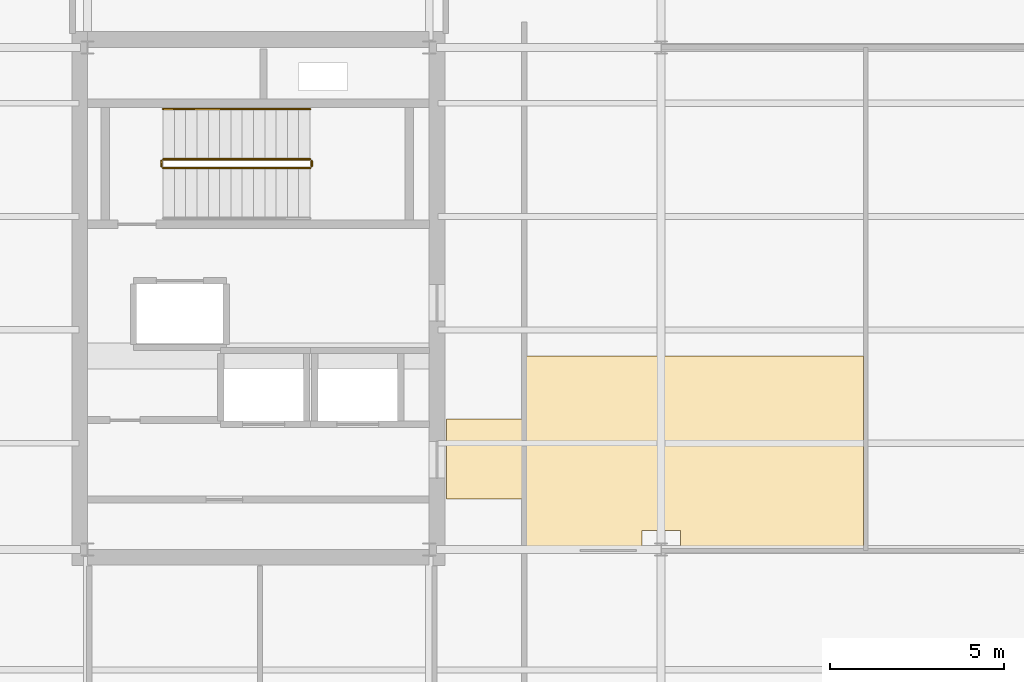
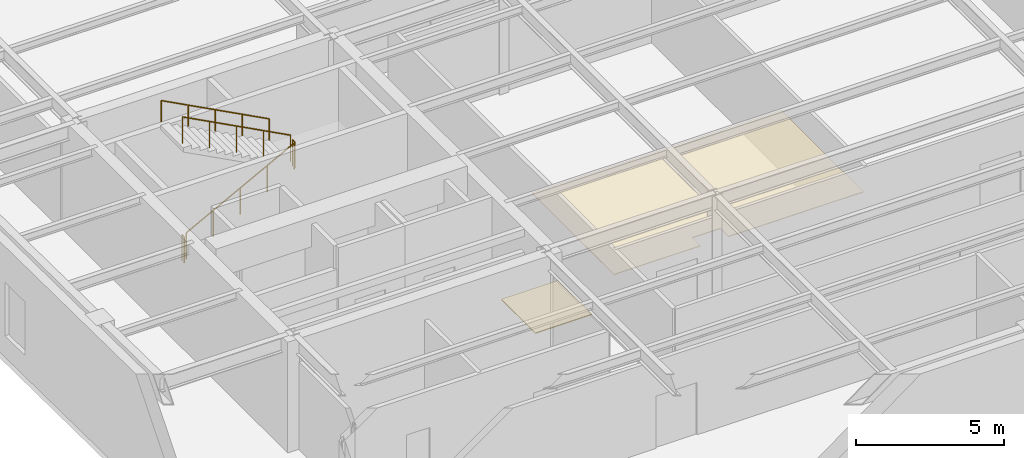
# One storey, part 12 of 13: 5 railings, 2 coverings.
"""IFC4 building model written with IfcOpenShell, lengths in metres."""

from ifc_helpers import new_model, si_unit, direction, frame, origin, origin_2d, place, context, subcontext, project, spatial, polyline, circle, outline, extrude, material, layer, layer_set, type_object, element, save


model = new_model("IFC4")

# Units and contexts
model_context = context("Model", 3, precision=1e-05, world=origin(), true_north=direction((0.0, 1.0)))
body_context = subcontext(model_context, "Body", "Model", "MODEL_VIEW")
ifc_project = project(units=[si_unit("LENGTHUNIT", "METRE"), si_unit("AREAUNIT", "SQUARE_METRE"), si_unit("VOLUMEUNIT", "CUBIC_METRE"), si_unit("PLANEANGLEUNIT", "RADIAN"), si_unit("MASSUNIT", "GRAM", prefix="KILO")], contexts=[model_context])

# Site, building, storey
site_placement = place(None, origin())
site = spatial("IfcSite", under=ifc_project, at=site_placement, CompositionType="ELEMENT")
building_placement = place(site_placement, origin())
building = spatial("IfcBuilding", under=site, at=building_placement, Name="Kolvaren Arena Tower", CompositionType="ELEMENT")
storey_placement = place(building_placement, frame((0.0, 0.0, 312.39990234375)))
storey = spatial("IfcBuildingStorey", under=building, at=storey_placement, Name="L77", CompositionType="ELEMENT", Elevation=312.39990234375)

# Coverings
ifc_material_1 = material(Name="Mineral fibre acoustic ceiling tile", Category="gypsum")
ifc_layer_1 = layer(ifc_material_1, 0.02490234375)
ifc_layer_set_1 = layer_set([ifc_layer_1], Name="Mineral fibre acoustic ceiling tile")
covering_type_1 = type_object("IfcCoveringType", Name="CEIL-ACT-1", PredefinedType="CEILING", material=ifc_layer_set_1)
covering_1_placement = place(storey_placement, frame((0.0, 0.0, 2.52001953125)))
element("IfcCovering", 1, at=covering_1_placement, inside=storey, type_object=covering_type_1, Name="Suspended Ceiling (L77)", PredefinedType="CEILING", context=body_context, shape_type="SweptSolid", body=[
    extrude(outline(polyline([(27.080078125, 19.449951171875), (27.080078125, 25.0), (36.800048828125, 25.0), (36.800048828125, 19.449951171875), (31.550048828125, 19.449951171875), (31.550048828125, 20.0), (30.449951171875, 20.0), (30.449951171875, 19.449951171875), (27.080078125, 19.449951171875)])), origin(), (0.0, 0.0, 1.0), 0.025146484375),
])
ifc_material_2 = material(Name="Polished granite terrazzo flooring", Category="masonry")
ifc_layer_2 = layer(ifc_material_2, 0.034912109375)
ifc_layer_set_2 = layer_set([ifc_layer_2], Name="Polished granite terrazzo flooring")
covering_type_2 = type_object("IfcCoveringType", Name="FLOR-TRZ-1", PredefinedType="FLOORING", material=ifc_layer_set_2)
covering_2_placement = place(storey_placement, origin())
element("IfcCovering", 2, at=covering_2_placement, inside=storey, type_object=covering_type_2, Name="Floor Finish (L77)", PredefinedType="FLOORING", context=body_context, shape_type="SweptSolid", body=[
    extrude(outline(polyline([(24.85009765625, 20.89990234375), (24.85009765625, 23.199951171875), (27.050048828125, 23.199951171875), (27.050048828125, 20.89990234375), (24.85009765625, 20.89990234375)])), origin(), (0.0, 0.0, 1.0), 0.03515625),
])

# Railings
ifc_material_3 = material(Name="Painted galvanized steel", Category="steel")
railing_type_1 = type_object("IfcRailingType", Name="GUARD-ST-110", PredefinedType="GUARDRAIL", material=ifc_material_3)
railing_1_placement = place(storey_placement, frame((16.719970703125, 30.389892578125, 0.171630859375)))
element("IfcRailing", 3, at=railing_1_placement, inside=storey, type_object=railing_type_1, Name="L77 ST-W1 stair guard 1", PredefinedType="GUARDRAIL", context=body_context, shape_type="SweptSolid", body=[
    extrude(circle(Radius=0.02392578125, at=origin_2d()), frame((0.0, 0.0, 1.076171875), z_axis=(0.883902544957, 0.0, 0.467671135542), x_axis=(0.0, 1.0, 0.0)), (0.0, 0.0, 1.0), 4.76513671875),
    extrude(circle(Radius=0.02099609375, at=origin_2d()), origin(), (0.0, 0.0, 1.0), 1.052001953125),
    extrude(circle(Radius=0.02099609375, at=origin_2d()), frame((1.052978515625, 0.0, 0.55712890625)), (0.0, 0.0, 1.0), 1.052001953125),
    extrude(circle(Radius=0.02099609375, at=origin_2d()), frame((2.10595703125, 0.0, 1.1142578125)), (0.0, 0.0, 1.0), 1.052001953125),
    extrude(circle(Radius=0.02099609375, at=origin_2d()), frame((3.158935546875, 0.0, 1.67138671875)), (0.0, 0.0, 1.0), 1.052001953125),
    extrude(circle(Radius=0.02099609375, at=origin_2d()), frame((4.2119140625, 0.0, 2.228515625)), (0.0, 0.0, 1.0), 1.052001953125),
])
railing_2_placement = place(storey_placement, frame((20.98193359375, 30.43994140625, 2.400146484375)))
element("IfcRailing", 4, at=railing_2_placement, inside=storey, type_object=railing_type_1, Name="L77 ST-W1 stair guard 2", PredefinedType="GUARDRAIL", context=body_context, shape_type="SweptSolid", body=[
    extrude(circle(Radius=0.02392578125, at=origin_2d()), frame((0.0, 0.0, 1.076171875), z_axis=(0.0, 1.0, 0.0), x_axis=(-1.0, 0.0, 0.0)), (0.0, 0.0, 1.0), 0.150146484375),
    extrude(circle(Radius=0.02099609375, at=origin_2d()), origin(), (0.0, 0.0, 1.0), 1.052001953125),
    extrude(circle(Radius=0.02099609375, at=origin_2d()), frame((0.0, 0.150146484375, 0.0)), (0.0, 0.0, 1.0), 1.052001953125),
])
railing_3_placement = place(storey_placement, frame((20.931884765625, 30.639892578125, 2.571533203125)))
element("IfcRailing", 5, at=railing_3_placement, inside=storey, type_object=railing_type_1, Name="L77 ST-W1 stair guard 3", PredefinedType="GUARDRAIL", context=body_context, shape_type="SweptSolid", body=[
    extrude(circle(Radius=0.02392578125, at=origin_2d()), frame((0.0, 0.0, 1.076171875), z_axis=(-0.883902544957, 0.0, 0.467671135542), x_axis=(0.0, -1.0, 0.0)), (0.0, 0.0, 1.0), 4.76513671875),
    extrude(circle(Radius=0.02099609375, at=origin_2d()), origin(), (0.0, 0.0, 1.0), 1.052001953125),
    extrude(circle(Radius=0.02099609375, at=origin_2d()), frame((-1.052978515625, 0.0, 0.55712890625)), (0.0, 0.0, 1.0), 1.052001953125),
    extrude(circle(Radius=0.02099609375, at=origin_2d()), frame((-2.10595703125, 0.0, 1.1142578125)), (0.0, 0.0, 1.0), 1.052001953125),
    extrude(circle(Radius=0.02099609375, at=origin_2d()), frame((-3.158935546875, 0.0, 1.67138671875)), (0.0, 0.0, 1.0), 1.052001953125),
    extrude(circle(Radius=0.02099609375, at=origin_2d()), frame((-4.2119140625, 0.0, 2.228515625)), (0.0, 0.0, 1.0), 1.052001953125),
])
railing_4_placement = place(storey_placement, frame((16.669921875, 30.43994140625, 0.0)))
element("IfcRailing", 6, at=railing_4_placement, inside=storey, type_object=railing_type_1, Name="L77 ST-W1 stair guard 4", PredefinedType="GUARDRAIL", context=body_context, shape_type="SweptSolid", body=[
    extrude(circle(Radius=0.02392578125, at=origin_2d()), frame((0.0, 0.0, 1.076171875), z_axis=(0.0, 1.0, 0.0), x_axis=(-1.0, 0.0, 0.0)), (0.0, 0.0, 1.0), 0.150146484375),
    extrude(circle(Radius=0.02099609375, at=origin_2d()), origin(), (0.0, 0.0, 1.0), 1.052001953125),
    extrude(circle(Radius=0.02099609375, at=origin_2d()), frame((0.0, 0.150146484375, 0.0)), (0.0, 0.0, 1.0), 1.052001953125),
])
ifc_material_4 = material(Name="Brushed stainless steel handrail", Category="steel")
railing_type_2 = type_object("IfcRailingType", Name="HRAIL-900", PredefinedType="HANDRAIL", material=ifc_material_4)
railing_5_placement = place(storey_placement, frame((20.931884765625, 32.080078125, 2.571533203125)))
element("IfcRailing", 7, at=railing_5_placement, inside=storey, type_object=railing_type_2, Name="L77 ST-W1 stair handrail 2", PredefinedType="HANDRAIL", context=body_context, shape_type="SweptSolid", body=[
    extrude(circle(Radius=0.02392578125, at=origin_2d()), frame((0.0, 0.0, 0.8759765625), z_axis=(-0.883902544957, 0.0, 0.467671135542), x_axis=(0.0, -1.0, 0.0)), (0.0, 0.0, 1.0), 4.76513671875),
    extrude(circle(Radius=0.02099609375, at=origin_2d()), origin(), (0.0, 0.0, 1.0), 0.851806640625),
    extrude(circle(Radius=0.02099609375, at=origin_2d()), frame((-1.052978515625, 0.0, 0.55712890625)), (0.0, 0.0, 1.0), 0.851806640625),
    extrude(circle(Radius=0.02099609375, at=origin_2d()), frame((-2.10595703125, 0.0, 1.1142578125)), (0.0, 0.0, 1.0), 0.851806640625),
    extrude(circle(Radius=0.02099609375, at=origin_2d()), frame((-3.158935546875, 0.0, 1.67138671875)), (0.0, 0.0, 1.0), 0.851806640625),
    extrude(circle(Radius=0.02099609375, at=origin_2d()), frame((-4.2119140625, 0.0, 2.228515625)), (0.0, 0.0, 1.0), 0.851806640625),
])

save(model, "model.ifc")
